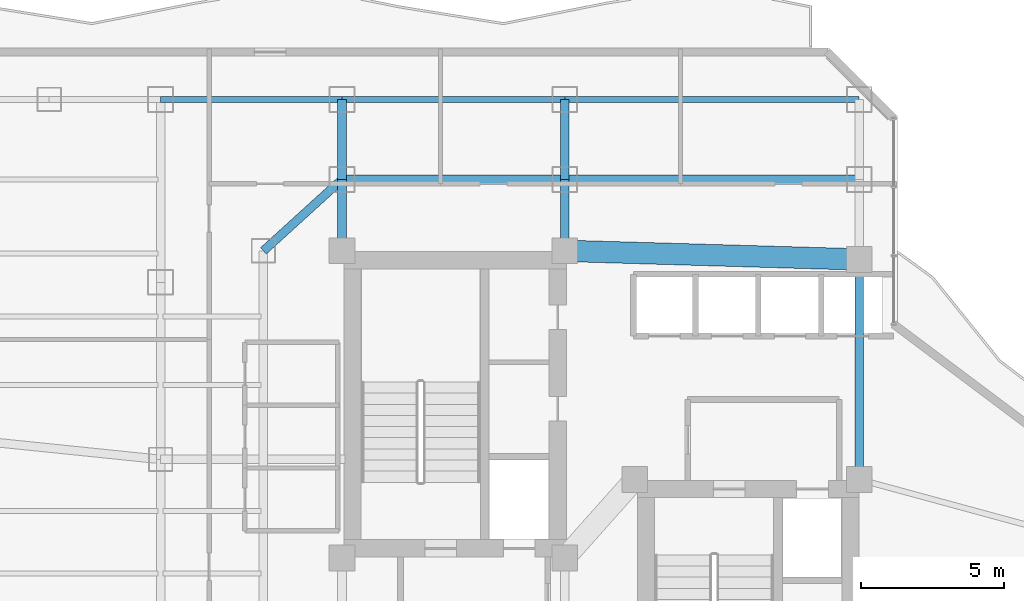
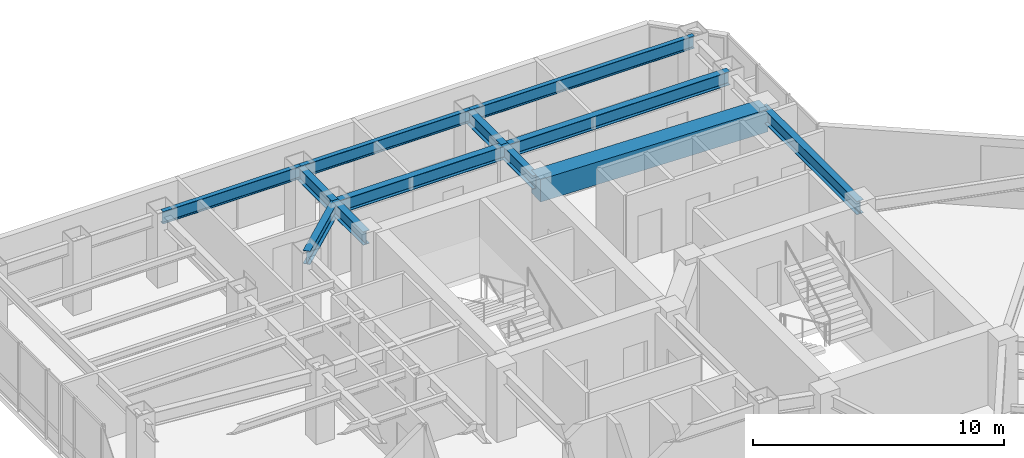
# One storey, part 18 of 30: 12 beams.
"""IFC4 building model written with IfcOpenShell, lengths in metres."""

from ifc_helpers import new_model, si_unit, direction, frame, origin, origin_2d, place, context, subcontext, project, spatial, rectangle, i_section, extrude, material, material_profile, profile_set, type_object, element, save


model = new_model("IFC4")

# Units and contexts
model_context = context("Model", 3, precision=1e-05, world=origin(), true_north=direction((0.0, 1.0)))
body_context = subcontext(model_context, "Body", "Model", "MODEL_VIEW")
ifc_project = project(units=[si_unit("LENGTHUNIT", "METRE"), si_unit("AREAUNIT", "SQUARE_METRE"), si_unit("VOLUMEUNIT", "CUBIC_METRE"), si_unit("PLANEANGLEUNIT", "RADIAN"), si_unit("MASSUNIT", "GRAM", prefix="KILO")], contexts=[model_context])

# Site, building, storey
site_placement = place(None, origin())
site = spatial("IfcSite", under=ifc_project, at=site_placement, CompositionType="ELEMENT")
building_placement = place(site_placement, origin())
building = spatial("IfcBuilding", under=site, at=building_placement, Name="Hatsunagi Terrace Concourse", CompositionType="ELEMENT")
storey_placement = place(building_placement, frame((0.0, 0.0, 101.25)))
storey = spatial("IfcBuildingStorey", under=building, at=storey_placement, Name="L26", CompositionType="ELEMENT", Elevation=101.25)

# Beams
ifc_material_1 = material(Name="Concrete Fc48", Category="concrete")
ifc_material_profile_1 = material_profile(ifc_material_1, rectangle(XDim=0.75, YDim=1.10009765625, at=origin_2d()), Name="RC-750x1100")
ifc_profile_set_1 = profile_set([ifc_material_profile_1], Name="Concrete Fc48")
beam_type_1 = type_object("IfcBeamType", Name="CoreCouplingBeam_RC_750x1100", PredefinedType="BEAM", material=ifc_profile_set_1)
beam_1_placement = place(storey_placement, frame((33.35009765625, 43.300048828125, 2.800048828125), z_axis=(0.999575947545, -0.029119153303, 0.0), x_axis=(0.029119153303, 0.999575947545, 0.0)))
element("IfcBeam", 1, at=beam_1_placement, inside=storey, type_object=beam_type_1, Name="Beam CB-02 CB-L26-2", PredefinedType="BEAM", context=body_context, shape_type="SweptSolid", body=[
    extrude(rectangle(XDim=0.75, YDim=1.10009765625, at=origin_2d()), origin(), (0.0, 0.0, 1.0), 10.30419921875),
])
ifc_material_2 = material(Name="Steel SN490B", Category="steel")
ifc_material_profile_2 = material_profile(ifc_material_2, i_section(OverallWidth=0.300048828125, OverallDepth=0.64990234375, WebThickness=0.012939453125, FlangeThickness=0.02197265625, FilletRadius=0.01806640625, at=origin_2d()), Name="H-650x300x13x22")
ifc_profile_set_2 = profile_set([ifc_material_profile_2], Name="Steel SN490B")
beam_type_2 = type_object("IfcBeamType", Name="OfficeLowGirder_H_650x300", PredefinedType="BEAM", material=ifc_profile_set_2)
beam_2_placement = place(storey_placement, frame((43.64990234375, 35.300048828125, 3.02490234375), z_axis=(0.0, 1.0, 0.0), x_axis=(-1.0, 0.0, 0.0)))
element("IfcBeam", 2, at=beam_2_placement, inside=storey, type_object=beam_type_2, Name="Beam G-05 BM-L26-CBK3", PredefinedType="BEAM", context=body_context, shape_type="SweptSolid", body=[
    extrude(i_section(OverallWidth=0.300048828125, OverallDepth=0.64990234375, WebThickness=0.012939453125, FlangeThickness=0.02197265625, FilletRadius=0.01806640625, at=origin_2d()), origin(), (0.0, 0.0, 1.0), 7.699951171875),
])
for number, where, z_axis, x_axis, name in (
    (3, (25.550048828125, 43.300048828125, 3.02490234375), (0.0, 1.0, 0.0), (-1.0, 0.0, 0.0), "Beam G-05 BM-L26-CN1"),
    (4, (33.35009765625, 43.300048828125, 3.02490234375), (0.0, 1.0, 0.0), (-1.0, 0.0, 0.0), "Beam G-05 BM-L26-CN2"),
):
    element("IfcBeam", number, at=place(storey_placement, frame(where, z_axis=z_axis, x_axis=x_axis)), inside=storey, type_object=beam_type_2, Name=name, PredefinedType="BEAM", context=body_context, shape_type="SweptSolid", body=[
        extrude(i_section(OverallWidth=0.300048828125, OverallDepth=0.64990234375, WebThickness=0.012939453125, FlangeThickness=0.02197265625, FilletRadius=0.01806640625, at=origin_2d()), origin(), (0.0, 0.0, 1.0), 2.5),
    ])
beam_3_placement = place(storey_placement, frame((25.550048828125, 45.800048828125, 3.02490234375), z_axis=(1.0, 0.0, 0.0), x_axis=(0.0, 1.0, 0.0)))
element("IfcBeam", 5, at=beam_3_placement, inside=storey, type_object=beam_type_2, Name="Beam G-05 BM-L26-CNEW1", PredefinedType="BEAM", context=body_context, shape_type="SweptSolid", body=[
    extrude(i_section(OverallWidth=0.300048828125, OverallDepth=0.64990234375, WebThickness=0.012939453125, FlangeThickness=0.02197265625, FilletRadius=0.01806640625, at=origin_2d()), origin(), (0.0, 0.0, 1.0), 7.800048828125),
])
beam_4_placement = place(storey_placement, frame((33.35009765625, 45.800048828125, 3.02490234375), z_axis=(1.0, 0.0, 0.0), x_axis=(0.0, 1.0, 0.0)))
element("IfcBeam", 6, at=beam_4_placement, inside=storey, type_object=beam_type_2, Name="Beam G-05 BM-L26-CNEW2", PredefinedType="BEAM", context=body_context, shape_type="SweptSolid", body=[
    extrude(i_section(OverallWidth=0.300048828125, OverallDepth=0.64990234375, WebThickness=0.012939453125, FlangeThickness=0.02197265625, FilletRadius=0.01806640625, at=origin_2d()), origin(), (0.0, 0.0, 1.0), 10.2998046875),
])
for number, where, z_axis, x_axis, name in (
    (7, (25.550048828125, 45.800048828125, 3.02490234375), (0.0, 1.0, 0.0), (-1.0, 0.0, 0.0), "Beam G-05 BM-L26-KN-WN4"),
    (8, (33.35009765625, 45.800048828125, 3.02490234375), (0.0, 1.0, 0.0), (-1.0, 0.0, 0.0), "Beam G-05 BM-L26-KN-WN5"),
):
    element("IfcBeam", number, at=place(storey_placement, frame(where, z_axis=z_axis, x_axis=x_axis)), inside=storey, type_object=beam_type_2, Name=name, PredefinedType="BEAM", context=body_context, shape_type="SweptSolid", body=[
        extrude(i_section(OverallWidth=0.300048828125, OverallDepth=0.64990234375, WebThickness=0.012939453125, FlangeThickness=0.02197265625, FilletRadius=0.01806640625, at=origin_2d()), origin(), (0.0, 0.0, 1.0), 2.800048828125),
    ])
beam_5_placement = place(storey_placement, frame((22.800048828125, 43.300048828125, 3.02490234375), z_axis=(0.739940073396, 0.672672793996, 0.0), x_axis=(-0.672672793996, 0.739940073396, 0.0)))
element("IfcBeam", 9, at=beam_5_placement, inside=storey, type_object=beam_type_2, Name="Beam G-05 BM-L26-CWEW-N", PredefinedType="BEAM", context=body_context, shape_type="SweptSolid", body=[
    extrude(i_section(OverallWidth=0.300048828125, OverallDepth=0.64990234375, WebThickness=0.012939453125, FlangeThickness=0.02197265625, FilletRadius=0.01806640625, at=origin_2d()), origin(), (0.0, 0.0, 1.0), 3.716552734375),
])
ifc_material_3 = material(Name="Steel SN490B", Category="steel")
ifc_material_profile_3 = material_profile(ifc_material_3, i_section(OverallWidth=0.199951171875, OverallDepth=0.60009765625, WebThickness=0.010986328125, FlangeThickness=0.01708984375, FilletRadius=0.01806640625, at=origin_2d()), Name="H-600x200x11x17")
ifc_profile_set_3 = profile_set([ifc_material_profile_3], Name="Steel SN490B")
beam_type_3 = type_object("IfcBeamType", Name="PerimeterSpandrel_H_600x200", PredefinedType="SPANDREL", material=ifc_profile_set_3)
beam_6_placement = place(storey_placement, frame((19.199951171875, 48.60009765625, 3.050048828125), z_axis=(1.0, 0.0, 0.0), x_axis=(0.0, 1.0, 0.0)))
element("IfcBeam", 10, at=beam_6_placement, inside=storey, type_object=beam_type_3, Name="Beam SP-01 BM-L26-WN-19", PredefinedType="SPANDREL", context=body_context, shape_type="SweptSolid", body=[
    extrude(i_section(OverallWidth=0.199951171875, OverallDepth=0.60009765625, WebThickness=0.010986328125, FlangeThickness=0.01708984375, FilletRadius=0.01806640625, at=origin_2d()), origin(), (0.0, 0.0, 1.0), 6.35009765625),
])
beam_7_placement = place(storey_placement, frame((25.550048828125, 48.60009765625, 3.050048828125), z_axis=(1.0, 0.0, 0.0), x_axis=(0.0, 1.0, 0.0)))
element("IfcBeam", 11, at=beam_7_placement, inside=storey, type_object=beam_type_3, Name="Beam SP-01 BM-L26-WN-25", PredefinedType="SPANDREL", context=body_context, shape_type="SweptSolid", body=[
    extrude(i_section(OverallWidth=0.199951171875, OverallDepth=0.60009765625, WebThickness=0.010986328125, FlangeThickness=0.01708984375, FilletRadius=0.01806640625, at=origin_2d()), origin(), (0.0, 0.0, 1.0), 7.800048828125),
])
beam_8_placement = place(storey_placement, frame((33.35009765625, 48.60009765625, 3.050048828125), z_axis=(1.0, 0.0, 0.0), x_axis=(0.0, 1.0, 0.0)))
element("IfcBeam", 12, at=beam_8_placement, inside=storey, type_object=beam_type_3, Name="Beam SP-01 BM-L26-WN-33", PredefinedType="SPANDREL", context=body_context, shape_type="SweptSolid", body=[
    extrude(i_section(OverallWidth=0.199951171875, OverallDepth=0.60009765625, WebThickness=0.010986328125, FlangeThickness=0.01708984375, FilletRadius=0.01806640625, at=origin_2d()), origin(), (0.0, 0.0, 1.0), 10.2998046875),
])

save(model, "model.ifc")
